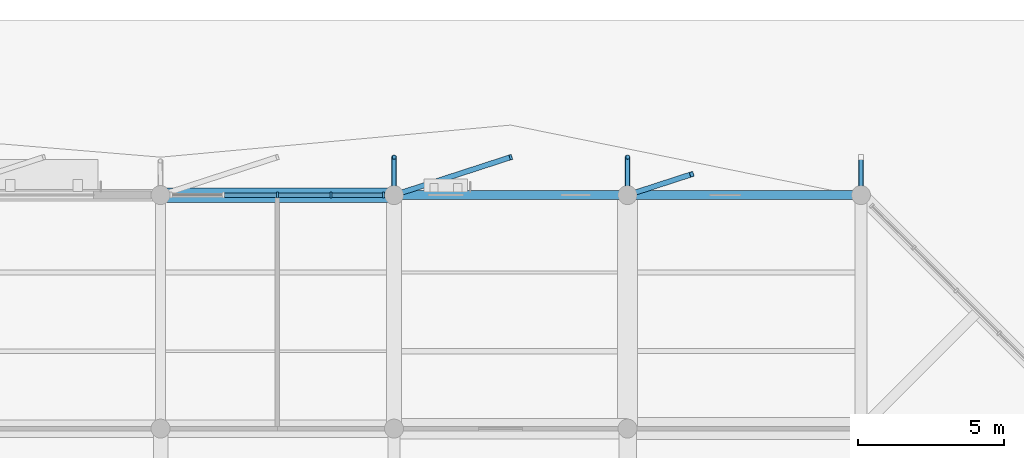
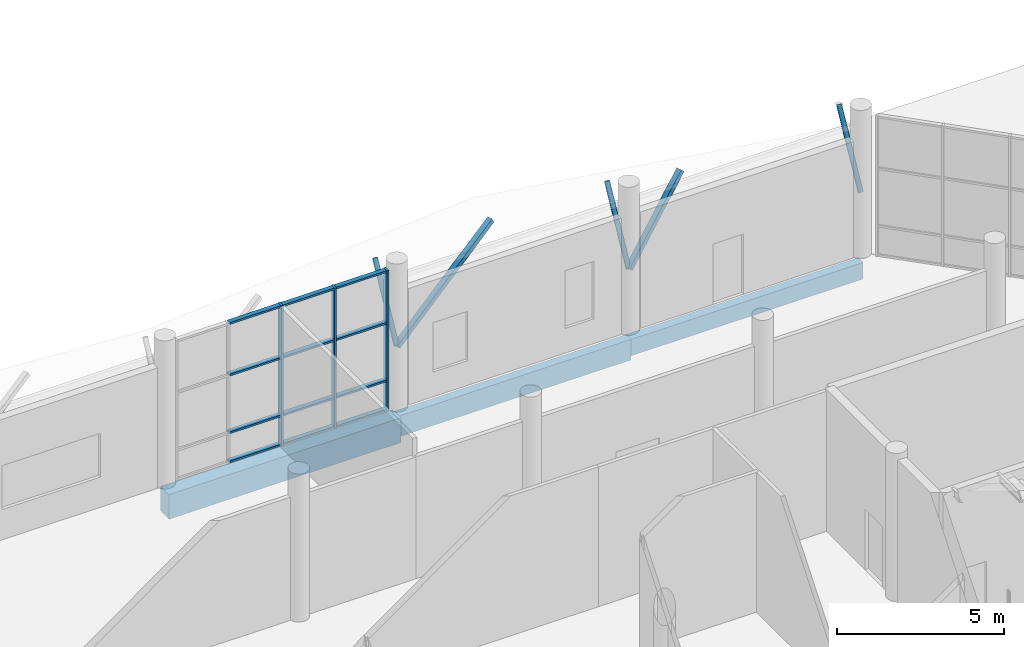
# One storey, part 61 of 123: 20 members, 3 beams, 1 element without a shape of its own.
"""IFC4 building model written with IfcOpenShell, lengths in metres."""

from ifc_helpers import new_model, si_unit, direction, frame, origin, origin_2d, place, context, subcontext, project, spatial, rectangle, hollow_rectangle, hollow_circle, extrude, material, material_profile, profile_set, type_object, element, aggregate, save


model = new_model("IFC4")

# Units and contexts
model_context = context("Model", 3, precision=1e-05, world=origin(), true_north=direction((0.0, 1.0)))
body_context = subcontext(model_context, "Body", "Model", "MODEL_VIEW")
ifc_project = project(units=[si_unit("LENGTHUNIT", "METRE"), si_unit("AREAUNIT", "SQUARE_METRE"), si_unit("VOLUMEUNIT", "CUBIC_METRE"), si_unit("PLANEANGLEUNIT", "RADIAN"), si_unit("MASSUNIT", "GRAM", prefix="KILO")], contexts=[model_context])

# Site, building, storey
site_placement = place(None, origin())
site = spatial("IfcSite", under=ifc_project, at=site_placement, CompositionType="ELEMENT")
building_placement = place(site_placement, origin())
building = spatial("IfcBuilding", under=site, at=building_placement, Name="Tenunan Teduh Sports Hall", CompositionType="ELEMENT")
storey_placement = place(building_placement, origin())
storey = spatial("IfcBuildingStorey", under=building, at=storey_placement, Name="L00", CompositionType="ELEMENT", Elevation=0.0)

# Beams
ifc_material_1 = material(Name="Concrete C40/50", Category="concrete")
ifc_material_profile_1 = material_profile(ifc_material_1, rectangle(XDim=0.300048828125, YDim=0.60009765625, at=origin_2d()), Name="RCB 300x600")
ifc_profile_set_1 = profile_set([ifc_material_profile_1], Name="Concrete C40/50")
beam_type_1 = type_object("IfcBeamType", Name="BM-RC-300x600", PredefinedType="BEAM", material=ifc_profile_set_1)
beam_1_placement = place(storey_placement, frame((146.0, 118.0, -0.580078125), z_axis=(1.0, 0.0, 0.0), x_axis=(0.0, 1.0, 0.0)))
element("IfcBeam", 1, at=beam_1_placement, inside=storey, type_object=beam_type_1, Name="BM-B-03-L00-0762", PredefinedType="BEAM", context=body_context, shape_type="SweptSolid", body=[
    extrude(rectangle(XDim=0.300048828125, YDim=0.60009765625, at=origin_2d()), origin(), (0.0, 0.0, 1.0), 8.0),
])
ifc_material_2 = material(Name="Concrete C40/50", Category="concrete")
ifc_material_profile_2 = material_profile(ifc_material_2, rectangle(XDim=0.5, YDim=0.89990234375, at=origin_2d()), Name="RCB 500x900")
ifc_profile_set_2 = profile_set([ifc_material_profile_2], Name="Concrete C40/50")
beam_type_2 = type_object("IfcBeamType", Name="BM-RC-500x900", PredefinedType="BEAM", material=ifc_profile_set_2)
beam_2_placement = place(storey_placement, frame((130.0, 118.0, -0.72998046875), z_axis=(1.0, 0.0, 0.0), x_axis=(0.0, 1.0, 0.0)))
element("IfcBeam", 2, at=beam_2_placement, inside=storey, type_object=beam_type_2, Name="BM-B-15-L00-0760", PredefinedType="BEAM", context=body_context, shape_type="SweptSolid", body=[
    extrude(rectangle(XDim=0.5, YDim=0.89990234375, at=origin_2d()), origin(), (0.0, 0.0, 1.0), 8.0),
])
ifc_material_3 = material(Name="Concrete C40/50", Category="concrete")
ifc_material_profile_3 = material_profile(ifc_material_3, rectangle(XDim=0.300048828125, YDim=0.75, at=origin_2d()), Name="SPB 300x750")
ifc_profile_set_3 = profile_set([ifc_material_profile_3], Name="Concrete C40/50")
beam_type_3 = type_object("IfcBeamType", Name="BM-SP-300x750", PredefinedType="SPANDREL", material=ifc_profile_set_3)
beam_3_placement = place(storey_placement, frame((138.0, 118.0, -0.655029296875), z_axis=(1.0, 0.0, 0.0), x_axis=(0.0, 1.0, 0.0)))
element("IfcBeam", 3, at=beam_3_placement, inside=storey, type_object=beam_type_3, Name="BM-SP-01-L00-0761", PredefinedType="SPANDREL", context=body_context, shape_type="SweptSolid", body=[
    extrude(rectangle(XDim=0.300048828125, YDim=0.75, at=origin_2d()), origin(), (0.0, 0.0, 1.0), 8.0),
])

# Curtain wall, members
ifc_material_4 = material(Name="Anodised aluminium", Category="aluminium")
curtain_wall_type = type_object("IfcCurtainWallType", Name="CW-UNIT-1", PredefinedType="NOTDEFINED", material=ifc_material_4)
curtain_wall_placement = place(storey_placement, origin())
curtain_wall = element("IfcCurtainWall", 4, at=curtain_wall_placement, inside=storey, type_object=curtain_wall_type, Name="CW-CWM-200-L00-240", PredefinedType="NOTDEFINED")
ifc_material_5 = material(Name="Anodised aluminium", Category="aluminium")
ifc_material_profile_4 = material_profile(ifc_material_5, rectangle(XDim=0.070068359375, YDim=0.199951171875, at=origin_2d()), Name="CWM 70x200")
ifc_profile_set_4 = profile_set([ifc_material_profile_4], Name="Anodised aluminium")
member_type_1 = type_object("IfcMemberType", Name="CWM-200", PredefinedType="MULLION", material=ifc_profile_set_4)
member_1_placement = place(storey_placement, frame((134.0, 118.0, 0.0), z_axis=(0.0, 0.0, 1.0), x_axis=(1.0, 0.0, 0.0)))
member_1 = element("IfcMember", 5, at=member_1_placement, type_object=member_type_1, Name="CW-01 mullion 3", PredefinedType="MULLION", context=body_context, shape_type="SweptSolid", body=[
    extrude(rectangle(XDim=0.070068359375, YDim=0.199951171875, at=origin_2d()), origin(), (0.0, 0.0, 1.0), 5.1201171875),
])
member_2_placement = place(storey_placement, frame((135.83740234375, 118.0, 0.0), z_axis=(0.0, 0.0, 1.0), x_axis=(1.0, 0.0, 0.0)))
member_2 = element("IfcMember", 6, at=member_2_placement, type_object=member_type_1, Name="CW-01 mullion 4", PredefinedType="MULLION", context=body_context, shape_type="SweptSolid", body=[
    extrude(rectangle(XDim=0.070068359375, YDim=0.199951171875, at=origin_2d()), origin(), (0.0, 0.0, 1.0), 5.1201171875),
])
member_3_placement = place(storey_placement, frame((137.639892578125, 118.0, 0.0), z_axis=(0.0, 0.0, 1.0), x_axis=(1.0, 0.0, 0.0)))
member_3 = element("IfcMember", 7, at=member_3_placement, type_object=member_type_1, Name="CW-01 mullion 5", PredefinedType="MULLION", context=body_context, shape_type="SweptSolid", body=[
    extrude(rectangle(XDim=0.070068359375, YDim=0.199951171875, at=origin_2d()), origin(), (0.0, 0.0, 1.0), 5.1201171875),
])
ifc_material_6 = material(Name="Anodised aluminium", Category="aluminium")
ifc_material_profile_5 = material_profile(ifc_material_6, rectangle(XDim=0.070068359375, YDim=0.159912109375, at=origin_2d()), Name="CWT 70x160")
ifc_profile_set_5 = profile_set([ifc_material_profile_5], Name="Anodised aluminium")
member_type_2 = type_object("IfcMemberType", Name="CWT-200", PredefinedType="USERDEFINED", material=ifc_profile_set_5)
member_4_placement = place(storey_placement, frame((132.197509765625, 118.0, 0.034912109375), z_axis=(1.0, 0.0, 0.0), x_axis=(0.0, 0.0, 1.0)))
member_4 = element("IfcMember", 8, at=member_4_placement, type_object=member_type_2, Name="CW-01 transom 2.1", ObjectType="TRANSOM", PredefinedType="USERDEFINED", context=body_context, shape_type="SweptSolid", body=[
    extrude(rectangle(XDim=0.070068359375, YDim=0.159912109375, at=origin_2d()), origin(), (0.0, 0.0, 1.0), 1.767578125),
])
member_5_placement = place(storey_placement, frame((132.197509765625, 118.0, 1.10009765625), z_axis=(1.0, 0.0, 0.0), x_axis=(0.0, 0.0, 1.0)))
member_5 = element("IfcMember", 9, at=member_5_placement, type_object=member_type_2, Name="CW-01 transom 2.2", ObjectType="TRANSOM", PredefinedType="USERDEFINED", context=body_context, shape_type="SweptSolid", body=[
    extrude(rectangle(XDim=0.070068359375, YDim=0.159912109375, at=origin_2d()), origin(), (0.0, 0.0, 1.0), 1.767578125),
])
member_6_placement = place(storey_placement, frame((132.197509765625, 118.0, 3.199951171875), z_axis=(1.0, 0.0, 0.0), x_axis=(0.0, 0.0, 1.0)))
member_6 = element("IfcMember", 10, at=member_6_placement, type_object=member_type_2, Name="CW-01 transom 2.3", ObjectType="TRANSOM", PredefinedType="USERDEFINED", context=body_context, shape_type="SweptSolid", body=[
    extrude(rectangle(XDim=0.070068359375, YDim=0.159912109375, at=origin_2d()), origin(), (0.0, 0.0, 1.0), 1.767578125),
])
member_7_placement = place(storey_placement, frame((132.197509765625, 118.0, 5.0849609375), z_axis=(1.0, 0.0, 0.0), x_axis=(0.0, 0.0, 1.0)))
member_7 = element("IfcMember", 11, at=member_7_placement, type_object=member_type_2, Name="CW-01 transom 2.4", ObjectType="TRANSOM", PredefinedType="USERDEFINED", context=body_context, shape_type="SweptSolid", body=[
    extrude(rectangle(XDim=0.070068359375, YDim=0.159912109375, at=origin_2d()), origin(), (0.0, 0.0, 1.0), 1.767578125),
])
member_8_placement = place(storey_placement, frame((134.034912109375, 118.0, 0.034912109375), z_axis=(1.0, 0.0, 0.0), x_axis=(0.0, 0.0, 1.0)))
member_8 = element("IfcMember", 12, at=member_8_placement, type_object=member_type_2, Name="CW-01 transom 3.1", ObjectType="TRANSOM", PredefinedType="USERDEFINED", context=body_context, shape_type="SweptSolid", body=[
    extrude(rectangle(XDim=0.070068359375, YDim=0.159912109375, at=origin_2d()), origin(), (0.0, 0.0, 1.0), 1.767578125),
])
member_9_placement = place(storey_placement, frame((134.034912109375, 118.0, 1.10009765625), z_axis=(1.0, 0.0, 0.0), x_axis=(0.0, 0.0, 1.0)))
member_9 = element("IfcMember", 13, at=member_9_placement, type_object=member_type_2, Name="CW-01 transom 3.2", ObjectType="TRANSOM", PredefinedType="USERDEFINED", context=body_context, shape_type="SweptSolid", body=[
    extrude(rectangle(XDim=0.070068359375, YDim=0.159912109375, at=origin_2d()), origin(), (0.0, 0.0, 1.0), 1.767578125),
])
member_10_placement = place(storey_placement, frame((134.034912109375, 118.0, 3.199951171875), z_axis=(1.0, 0.0, 0.0), x_axis=(0.0, 0.0, 1.0)))
member_10 = element("IfcMember", 14, at=member_10_placement, type_object=member_type_2, Name="CW-01 transom 3.3", ObjectType="TRANSOM", PredefinedType="USERDEFINED", context=body_context, shape_type="SweptSolid", body=[
    extrude(rectangle(XDim=0.070068359375, YDim=0.159912109375, at=origin_2d()), origin(), (0.0, 0.0, 1.0), 1.767578125),
])
member_11_placement = place(storey_placement, frame((134.034912109375, 118.0, 5.0849609375), z_axis=(1.0, 0.0, 0.0), x_axis=(0.0, 0.0, 1.0)))
member_11 = element("IfcMember", 15, at=member_11_placement, type_object=member_type_2, Name="CW-01 transom 3.4", ObjectType="TRANSOM", PredefinedType="USERDEFINED", context=body_context, shape_type="SweptSolid", body=[
    extrude(rectangle(XDim=0.070068359375, YDim=0.159912109375, at=origin_2d()), origin(), (0.0, 0.0, 1.0), 1.767578125),
])
member_12_placement = place(storey_placement, frame((135.87255859375, 118.0, 0.034912109375), z_axis=(1.0, 0.0, 0.0), x_axis=(0.0, 0.0, 1.0)))
member_12 = element("IfcMember", 16, at=member_12_placement, type_object=member_type_2, Name="CW-01 transom 4.1", ObjectType="TRANSOM", PredefinedType="USERDEFINED", context=body_context, shape_type="SweptSolid", body=[
    extrude(rectangle(XDim=0.070068359375, YDim=0.159912109375, at=origin_2d()), origin(), (0.0, 0.0, 1.0), 1.732421875),
])
member_13_placement = place(storey_placement, frame((135.87255859375, 118.0, 1.10009765625), z_axis=(1.0, 0.0, 0.0), x_axis=(0.0, 0.0, 1.0)))
member_13 = element("IfcMember", 17, at=member_13_placement, type_object=member_type_2, Name="CW-01 transom 4.2", ObjectType="TRANSOM", PredefinedType="USERDEFINED", context=body_context, shape_type="SweptSolid", body=[
    extrude(rectangle(XDim=0.070068359375, YDim=0.159912109375, at=origin_2d()), origin(), (0.0, 0.0, 1.0), 1.732421875),
])
member_14_placement = place(storey_placement, frame((135.87255859375, 118.0, 3.199951171875), z_axis=(1.0, 0.0, 0.0), x_axis=(0.0, 0.0, 1.0)))
member_14 = element("IfcMember", 18, at=member_14_placement, type_object=member_type_2, Name="CW-01 transom 4.3", ObjectType="TRANSOM", PredefinedType="USERDEFINED", context=body_context, shape_type="SweptSolid", body=[
    extrude(rectangle(XDim=0.070068359375, YDim=0.159912109375, at=origin_2d()), origin(), (0.0, 0.0, 1.0), 1.732421875),
])
member_15_placement = place(storey_placement, frame((135.87255859375, 118.0, 5.0849609375), z_axis=(1.0, 0.0, 0.0), x_axis=(0.0, 0.0, 1.0)))
member_15 = element("IfcMember", 19, at=member_15_placement, type_object=member_type_2, Name="CW-01 transom 4.4", ObjectType="TRANSOM", PredefinedType="USERDEFINED", context=body_context, shape_type="SweptSolid", body=[
    extrude(rectangle(XDim=0.070068359375, YDim=0.159912109375, at=origin_2d()), origin(), (0.0, 0.0, 1.0), 1.732421875),
])
aggregate(curtain_wall, [member_1, member_2, member_3, member_4, member_5, member_6, member_7, member_8, member_9, member_10, member_11, member_12, member_13, member_14, member_15])

# Members
ifc_material_7 = material(Name="Steel S355", Category="steel")
ifc_material_profile_6 = material_profile(ifc_material_7, hollow_circle(Radius=0.084228515625, WallThickness=0.008056640625, at=origin_2d()), Name="CHS 168.3x8.0")
ifc_profile_set_6 = profile_set([ifc_material_profile_6], Name="Steel S355")
member_type_3 = type_object("IfcMemberType", Name="MEM-BR-CHS168", PredefinedType="BRACE", material=ifc_profile_set_6)
for number, where, z_axis, x_axis, name in (
    (20, (138.0, 118.0, 2.199951171875), (0.0, 0.473219878855, 0.880944349125), (-1.0, 0.0, 0.0), "MEM-GD-04-L00-1159"),
    (21, (146.0, 118.0, 2.199951171875), (0.0, 0.473219878855, 0.880944349125), (-1.0, 0.0, 0.0), "MEM-GD-04-L00-1163"),
    (22, (154.0, 118.0, 2.199951171875), (0.0, 0.473219878855, 0.880944349125), (-1.0, 0.0, 0.0), "MEM-GD-04-L00-1167"),
):
    element("IfcMember", number, at=place(storey_placement, frame(where, z_axis=z_axis, x_axis=x_axis)), inside=storey, type_object=member_type_3, Name=name, PredefinedType="BRACE", context=body_context, shape_type="SweptSolid", body=[
        extrude(hollow_circle(Radius=0.084228515625, WallThickness=0.008056640625, at=origin_2d()), origin(), (0.0, 0.0, 1.0), 2.747314453125),
    ])
ifc_material_8 = material(Name="Steel S355", Category="steel")
ifc_material_profile_7 = material_profile(ifc_material_8, hollow_rectangle(XDim=0.179931640625, YDim=0.179931640625, WallThickness=0.010009765625, at=origin_2d()), Name="SHS 180x180x10.0")
ifc_profile_set_7 = profile_set([ifc_material_profile_7], Name="Steel S355")
member_type_4 = type_object("IfcMemberType", Name="MEM-ST-SHS180", PredefinedType="STRUT", material=ifc_profile_set_7)
member_16_placement = place(storey_placement, frame((138.0, 118.0, 2.199951171875), z_axis=(0.82430731081, 0.267909938358, 0.498740135014), x_axis=(-0.309096572498, 0.951030656115, 0.0)))
element("IfcMember", 23, at=member_16_placement, inside=storey, type_object=member_type_4, Name="MEM-VS-03-L00-1162", PredefinedType="STRUT", context=body_context, shape_type="SweptSolid", body=[
    extrude(hollow_rectangle(XDim=0.179931640625, YDim=0.179931640625, WallThickness=0.010009765625, at=origin_2d()), origin(), (0.0, 0.0, 1.0), 4.8525390625),
])
member_17_placement = place(storey_placement, frame((146.0, 118.0, 2.199951171875), z_axis=(0.657116549693, 0.213593871274, 0.722893836101), x_axis=(-0.309126641415, 0.951020882824, 0.0)))
element("IfcMember", 24, at=member_17_placement, inside=storey, type_object=member_type_4, Name="MEM-VS-03-L00-1166", PredefinedType="STRUT", context=body_context, shape_type="SweptSolid", body=[
    extrude(hollow_rectangle(XDim=0.179931640625, YDim=0.179931640625, WallThickness=0.010009765625, at=origin_2d()), origin(), (0.0, 0.0, 1.0), 3.347900390625),
])

save(model, "model.ifc")
